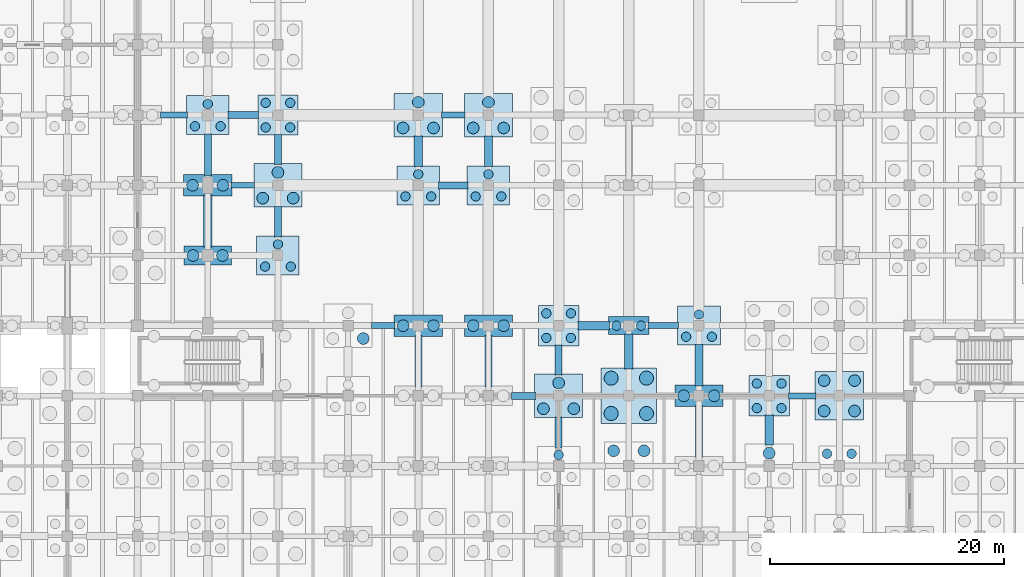
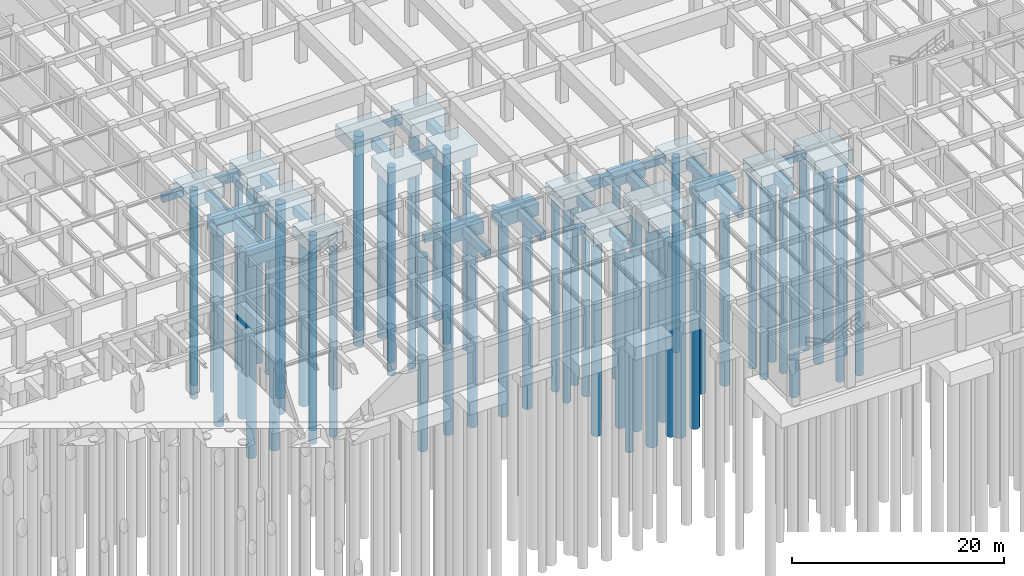
# One storey, part 7 of 54: 66 piles, 44 footings.
"""IFC4 building model written with IfcOpenShell, lengths in metres."""

from ifc_helpers import new_model, si_unit, direction, frame, origin, origin_2d, place, context, subcontext, project, spatial, rectangle, circle, extrude, material, material_profile, profile_set, type_object, element, save


model = new_model("IFC4")

# Units and contexts
model_context = context("Model", 3, precision=1e-05, world=origin(), true_north=direction((0.0, 1.0)))
body_context = subcontext(model_context, "Body", "Model", "MODEL_VIEW")
ifc_project = project(units=[si_unit("LENGTHUNIT", "METRE"), si_unit("AREAUNIT", "SQUARE_METRE"), si_unit("VOLUMEUNIT", "CUBIC_METRE"), si_unit("PLANEANGLEUNIT", "RADIAN"), si_unit("MASSUNIT", "GRAM", prefix="KILO"), si_unit("THERMODYNAMICTEMPERATUREUNIT", "KELVIN"), si_unit("POWERUNIT", "WATT")], contexts=[model_context])

# Site, building, storey
site_placement = place(None, origin())
site = spatial("IfcSite", under=ifc_project, at=site_placement, CompositionType="ELEMENT")
building_placement = place(site_placement, origin())
building = spatial("IfcBuilding", under=site, at=building_placement, Name="Phaisarnlok Congress Hotel", CompositionType="ELEMENT")
storey_placement = place(building_placement, frame((0.0, 0.0, -4.800048828125)))
storey = spatial("IfcBuildingStorey", under=building, at=storey_placement, Name="B01", CompositionType="ELEMENT", Elevation=-4.800048828125)

# Footings
ifc_material_1 = material(Name="Concrete C40/50", Category="concrete")
footing_type_1 = type_object("IfcFootingType", Name="CAP-2P-A", PredefinedType="PILE_CAP", material=ifc_material_1)
footing_1_placement = place(storey_placement, frame((102.0, 42.0, -1.69970703125), z_axis=(0.0, 0.0, 1.0), x_axis=(1.0, 0.0, 0.0)))
element("IfcFooting", 1, at=footing_1_placement, inside=storey, type_object=footing_type_1, Name="Pile cap PC-01 at (102,42)", PredefinedType="PILE_CAP", context=body_context, shape_type="SweptSolid", body=[
    extrude(rectangle(XDim=3.43994140625, YDim=1.5400390625, at=origin_2d()), origin(), (0.0, 0.0, 1.0), 1.199951171875),
])
footing_type_2 = type_object("IfcFootingType", Name="CAP-2P-B", PredefinedType="PILE_CAP", material=ifc_material_1)
footing_2_placement = place(storey_placement, frame((66.0, 48.0, -1.7998046875), z_axis=(0.0, 0.0, 1.0), x_axis=(1.0, 0.0, 0.0)))
element("IfcFooting", 2, at=footing_2_placement, inside=storey, type_object=footing_type_2, Name="Pile cap PC-02 at (66,48)", PredefinedType="PILE_CAP", context=body_context, shape_type="SweptSolid", body=[
    extrude(rectangle(XDim=4.080078125, YDim=1.639892578125, at=origin_2d()), origin(), (0.0, 0.0, 1.0), 1.300048828125),
])
footing_type_3 = type_object("IfcFootingType", Name="CAP-2P-C", PredefinedType="PILE_CAP", material=ifc_material_1)
for number, where, z_axis, x_axis, name in (
    (3, (66.0, 54.0, -1.89990234375), (0.0, 0.0, 1.0), (1.0, 0.0, 0.0), "Pile cap PC-03 at (66,54)"),
    (4, (84.0, 42.0, -1.89990234375), (0.0, 0.0, 1.0), (1.0, 0.0, 0.0), "Pile cap PC-03 at (84,42)"),
    (5, (90.0, 42.0, -1.89990234375), (0.0, 0.0, 1.0), (1.0, 0.0, 0.0), "Pile cap PC-03 at (90,42)"),
    (6, (108.0, 36.0, -1.89990234375), (0.0, 0.0, 1.0), (1.0, 0.0, 0.0), "Pile cap PC-03 at (108,36)"),
):
    element("IfcFooting", number, at=place(storey_placement, frame(where, z_axis=z_axis, x_axis=x_axis)), inside=storey, type_object=footing_type_3, Name=name, PredefinedType="PILE_CAP", context=body_context, shape_type="SweptSolid", body=[
        extrude(rectangle(XDim=4.1201171875, YDim=1.840087890625, at=origin_2d()), origin(), (0.0, 0.0, 1.0), 1.39990234375),
    ])
footing_type_4 = type_object("IfcFootingType", Name="CAP-3P-A", PredefinedType="PILE_CAP", material=ifc_material_1)
for number, where, z_axis, x_axis, name in (
    (7, (66.0, 60.0, -1.85009765625), (0.0, 0.0, 1.0), (1.0, 0.0, 0.0), "Pile cap PC-04 at (66,60)"),
    (8, (72.0, 48.0, -1.85009765625), (0.0, 0.0, 1.0), (1.0, 0.0, 0.0), "Pile cap PC-04 at (72,48)"),
    (9, (84.0, 54.0, -1.85009765625), (0.0, 0.0, 1.0), (1.0, 0.0, 0.0), "Pile cap PC-04 at (84,54)"),
    (10, (90.0, 54.0, -1.85009765625), (0.0, 0.0, 1.0), (1.0, 0.0, 0.0), "Pile cap PC-04 at (90,54)"),
    (11, (108.0, 42.0, -1.85009765625), (0.0, 0.0, 1.0), (1.0, 0.0, 0.0), "Pile cap PC-04 at (108,42)"),
):
    element("IfcFooting", number, at=place(storey_placement, frame(where, z_axis=z_axis, x_axis=x_axis)), inside=storey, type_object=footing_type_4, Name=name, PredefinedType="PILE_CAP", context=body_context, shape_type="SweptSolid", body=[
        extrude(rectangle(XDim=3.639892578125, YDim=3.340087890625, at=origin_2d()), origin(), (0.0, 0.0, 1.0), 1.35009765625),
    ])
footing_type_5 = type_object("IfcFootingType", Name="CAP-3P-B", PredefinedType="PILE_CAP", material=ifc_material_1)
for number, where, z_axis, x_axis, name in (
    (12, (72.0, 54.0, -1.94970703125), (0.0, 0.0, 1.0), (1.0, 0.0, 0.0), "Pile cap PC-05 at (72,54)"),
    (13, (84.0, 60.0, -1.94970703125), (0.0, 0.0, 1.0), (1.0, 0.0, 0.0), "Pile cap PC-05 at (84,60)"),
    (14, (90.0, 60.0, -1.94970703125), (0.0, 0.0, 1.0), (1.0, 0.0, 0.0), "Pile cap PC-05 at (90,60)"),
    (15, (96.0, 36.0, -1.94970703125), (0.0, 0.0, 1.0), (1.0, 0.0, 0.0), "Pile cap PC-05 at (96,36)"),
):
    element("IfcFooting", number, at=place(storey_placement, frame(where, z_axis=z_axis, x_axis=x_axis)), inside=storey, type_object=footing_type_5, Name=name, PredefinedType="PILE_CAP", context=body_context, shape_type="SweptSolid", body=[
        extrude(rectangle(XDim=4.1201171875, YDim=3.739990234375, at=origin_2d()), origin(), (0.0, 0.0, 1.0), 1.449951171875),
    ])
footing_type_6 = type_object("IfcFootingType", Name="CAP-4P-A", PredefinedType="PILE_CAP", material=ifc_material_1)
for number, where, z_axis, x_axis, name in (
    (16, (72.0, 60.0, -1.7998046875), (0.0, 0.0, 1.0), (1.0, 0.0, 0.0), "Pile cap PC-06 at (72,60)"),
    (17, (96.0, 42.0, -1.7998046875), (0.0, 0.0, 1.0), (1.0, 0.0, 0.0), "Pile cap PC-06 at (96,42)"),
    (18, (114.0, 36.0, -1.7998046875), (0.0, 0.0, 1.0), (1.0, 0.0, 0.0), "Pile cap PC-06 at (114,36)"),
):
    element("IfcFooting", number, at=place(storey_placement, frame(where, z_axis=z_axis, x_axis=x_axis)), inside=storey, type_object=footing_type_6, Name=name, PredefinedType="PILE_CAP", context=body_context, shape_type="SweptSolid", body=[
        extrude(rectangle(XDim=3.43994140625, YDim=3.43994140625, at=origin_2d()), origin(), (0.0, 0.0, 1.0), 1.300048828125),
    ])
footing_type_7 = type_object("IfcFootingType", Name="CAP-4P-B", PredefinedType="PILE_CAP", material=ifc_material_1)
footing_3_placement = place(storey_placement, frame((120.0, 36.0, -1.94970703125), z_axis=(0.0, 0.0, 1.0), x_axis=(1.0, 0.0, 0.0)))
element("IfcFooting", 19, at=footing_3_placement, inside=storey, type_object=footing_type_7, Name="Pile cap PC-07 at (120,36)", PredefinedType="PILE_CAP", context=body_context, shape_type="SweptSolid", body=[
    extrude(rectangle(XDim=4.1201171875, YDim=4.1201171875, at=origin_2d()), origin(), (0.0, 0.0, 1.0), 1.449951171875),
])
footing_type_8 = type_object("IfcFootingType", Name="CAP-4P-C", PredefinedType="PILE_CAP", material=ifc_material_1)
footing_4_placement = place(storey_placement, frame((102.0, 36.0, -2.10009765625), z_axis=(0.0, 0.0, 1.0), x_axis=(1.0, 0.0, 0.0)))
element("IfcFooting", 20, at=footing_4_placement, inside=storey, type_object=footing_type_8, Name="Pile cap PC-08 at (102,36)", PredefinedType="PILE_CAP", context=body_context, shape_type="SweptSolid", body=[
    extrude(rectangle(XDim=4.719970703125, YDim=4.760009765625, at=origin_2d()), origin(), (0.0, 0.0, 1.0), 1.60009765625),
])
ifc_material_profile_1 = material_profile(ifc_material_1, rectangle(XDim=0.5, YDim=0.800048828125, at=origin_2d()), Name="FB-500x800")
ifc_profile_set_1 = profile_set([ifc_material_profile_1], Name="Concrete C40/50")
footing_type_9 = type_object("IfcFootingType", Name="FB-500x800", PredefinedType="FOOTING_BEAM", material=ifc_profile_set_1)
footing_5_placement = place(storey_placement, frame((61.965087890625, 60.0, -0.89990234375), z_axis=(1.0, 0.0, 0.0), x_axis=(0.0, 1.0, 0.0)))
element("IfcFooting", 21, at=footing_5_placement, inside=storey, type_object=footing_type_9, Name="Ground tie beam FB-01", PredefinedType="FOOTING_BEAM", context=body_context, shape_type="SweptSolid", body=[
    extrude(rectangle(XDim=0.5, YDim=0.800048828125, at=origin_2d()), origin(), (0.0, 0.0, 1.0), 2.289794921875),
])
for number, where, z_axis, x_axis, name in (
    (22, (67.985107421875, 54.0, -0.89990234375), (1.0, 0.0, 0.0), (0.0, 1.0, 0.0), "Ground tie beam FB-01"),
    (23, (79.985107421875, 42.0, -0.89990234375), (1.0, 0.0, 0.0), (0.0, 1.0, 0.0), "Ground tie beam FB-01"),
    (24, (85.985107421875, 60.0, -0.89990234375), (1.0, 0.0, 0.0), (0.0, 1.0, 0.0), "Ground tie beam FB-01"),
):
    element("IfcFooting", number, at=place(storey_placement, frame(where, z_axis=z_axis, x_axis=x_axis)), inside=storey, type_object=footing_type_9, Name=name, PredefinedType="FOOTING_BEAM", context=body_context, shape_type="SweptSolid", body=[
        extrude(rectangle(XDim=0.5, YDim=0.800048828125, at=origin_2d()), origin(), (0.0, 0.0, 1.0), 2.02978515625),
    ])
footing_6_placement = place(storey_placement, frame((103.64501953125, 42.0, -0.89990234375), z_axis=(1.0, 0.0, 0.0), x_axis=(0.0, 1.0, 0.0)))
element("IfcFooting", 25, at=footing_6_placement, inside=storey, type_object=footing_type_9, Name="Ground tie beam FB-01", PredefinedType="FOOTING_BEAM", context=body_context, shape_type="SweptSolid", body=[
    extrude(rectangle(XDim=0.5, YDim=0.800048828125, at=origin_2d()), origin(), (0.0, 0.0, 1.0), 2.60986328125),
])
footing_7_placement = place(storey_placement, frame((115.64501953125, 36.0, -0.89990234375), z_axis=(1.0, 0.0, 0.0), x_axis=(0.0, 1.0, 0.0)))
element("IfcFooting", 26, at=footing_7_placement, inside=storey, type_object=footing_type_9, Name="Ground tie beam FB-01", PredefinedType="FOOTING_BEAM", context=body_context, shape_type="SweptSolid", body=[
    extrude(rectangle(XDim=0.5, YDim=0.800048828125, at=origin_2d()), origin(), (0.0, 0.0, 1.0), 2.369873046875),
])
ifc_material_profile_2 = material_profile(ifc_material_1, rectangle(XDim=0.60009765625, YDim=1.0, at=origin_2d()), Name="FB-600x1000")
ifc_profile_set_2 = profile_set([ifc_material_profile_2], Name="Concrete C40/50")
footing_type_10 = type_object("IfcFootingType", Name="FB-600x1000", PredefinedType="FOOTING_BEAM", material=ifc_profile_set_2)
footing_8_placement = place(storey_placement, frame((67.7451171875, 60.0, -1.0), z_axis=(1.0, 0.0, 0.0), x_axis=(0.0, 1.0, 0.0)))
element("IfcFooting", 27, at=footing_8_placement, inside=storey, type_object=footing_type_10, Name="Ground tie beam FB-03", PredefinedType="FOOTING_BEAM", context=body_context, shape_type="SweptSolid", body=[
    extrude(rectangle(XDim=0.60009765625, YDim=1.0, at=origin_2d()), origin(), (0.0, 0.0, 1.0), 2.60986328125),
])
footing_9_placement = place(storey_placement, frame((72.0, 55.794921875, -1.0), z_axis=(0.0, 1.0, 0.0), x_axis=(-1.0, 0.0, 0.0)))
element("IfcFooting", 28, at=footing_9_placement, inside=storey, type_object=footing_type_10, Name="Ground tie beam FB-03", PredefinedType="FOOTING_BEAM", context=body_context, shape_type="SweptSolid", body=[
    extrude(rectangle(XDim=0.60009765625, YDim=1.0, at=origin_2d()), origin(), (0.0, 0.0, 1.0), 2.56005859375),
])
footing_10_placement = place(storey_placement, frame((85.7451171875, 54.0, -1.0), z_axis=(1.0, 0.0, 0.0), x_axis=(0.0, 1.0, 0.0)))
element("IfcFooting", 29, at=footing_10_placement, inside=storey, type_object=footing_type_10, Name="Ground tie beam FB-03", PredefinedType="FOOTING_BEAM", context=body_context, shape_type="SweptSolid", body=[
    extrude(rectangle(XDim=0.60009765625, YDim=1.0, at=origin_2d()), origin(), (0.0, 0.0, 1.0), 2.509765625),
])
footing_11_placement = place(storey_placement, frame((90.0, 36.7451171875, -1.0), z_axis=(0.0, 1.0, 0.0), x_axis=(-1.0, 0.0, 0.0)))
element("IfcFooting", 30, at=footing_11_placement, inside=storey, type_object=footing_type_10, Name="Ground tie beam FB-03", PredefinedType="FOOTING_BEAM", context=body_context, shape_type="SweptSolid", body=[
    extrude(rectangle(XDim=0.60009765625, YDim=1.0, at=origin_2d()), origin(), (0.0, 0.0, 1.0), 4.409912109375),
])
footing_12_placement = place(storey_placement, frame((96.0, 37.794921875, -1.0), z_axis=(0.0, 1.0, 0.0), x_axis=(-1.0, 0.0, 0.0)))
element("IfcFooting", 31, at=footing_12_placement, inside=storey, type_object=footing_type_10, Name="Ground tie beam FB-03", PredefinedType="FOOTING_BEAM", context=body_context, shape_type="SweptSolid", body=[
    extrude(rectangle(XDim=0.60009765625, YDim=1.0, at=origin_2d()), origin(), (0.0, 0.0, 1.0), 2.56005859375),
])
footing_13_placement = place(storey_placement, frame((108.0, 30.7451171875, -1.0), z_axis=(0.0, 1.0, 0.0), x_axis=(-1.0, 0.0, 0.0)))
element("IfcFooting", 32, at=footing_13_placement, inside=storey, type_object=footing_type_10, Name="Ground tie beam FB-03", PredefinedType="FOOTING_BEAM", context=body_context, shape_type="SweptSolid", body=[
    extrude(rectangle(XDim=0.60009765625, YDim=1.0, at=origin_2d()), origin(), (0.0, 0.0, 1.0), 4.409912109375),
])
ifc_material_profile_3 = material_profile(ifc_material_1, rectangle(XDim=0.60009765625, YDim=0.89990234375, at=origin_2d()), Name="FB-600x900")
ifc_profile_set_3 = profile_set([ifc_material_profile_3], Name="Concrete C40/50")
footing_type_11 = type_object("IfcFootingType", Name="FB-600x900", PredefinedType="FOOTING_BEAM", material=ifc_profile_set_3)
footing_14_placement = place(storey_placement, frame((66.0, 54.844970703125, -0.949951171875), z_axis=(0.0, 1.0, 0.0), x_axis=(-1.0, 0.0, 0.0)))
element("IfcFooting", 33, at=footing_14_placement, inside=storey, type_object=footing_type_11, Name="Ground tie beam FB-02", PredefinedType="FOOTING_BEAM", context=body_context, shape_type="SweptSolid", body=[
    extrude(rectangle(XDim=0.60009765625, YDim=0.89990234375, at=origin_2d()), origin(), (0.0, 0.0, 1.0), 3.56005859375),
])
footing_15_placement = place(storey_placement, frame((72.0, 49.594970703125, -0.949951171875), z_axis=(0.0, 1.0, 0.0), x_axis=(-1.0, 0.0, 0.0)))
element("IfcFooting", 34, at=footing_15_placement, inside=storey, type_object=footing_type_11, Name="Ground tie beam FB-02", PredefinedType="FOOTING_BEAM", context=body_context, shape_type="SweptSolid", body=[
    extrude(rectangle(XDim=0.60009765625, YDim=0.89990234375, at=origin_2d()), origin(), (0.0, 0.0, 1.0), 2.610107421875),
])
footing_16_placement = place(storey_placement, frame((84.0, 36.7451171875, -0.949951171875), z_axis=(0.0, 1.0, 0.0), x_axis=(-1.0, 0.0, 0.0)))
element("IfcFooting", 35, at=footing_16_placement, inside=storey, type_object=footing_type_11, Name="Ground tie beam FB-02", PredefinedType="FOOTING_BEAM", context=body_context, shape_type="SweptSolid", body=[
    extrude(rectangle(XDim=0.60009765625, YDim=0.89990234375, at=origin_2d()), origin(), (0.0, 0.0, 1.0), 4.409912109375),
])
footing_17_placement = place(storey_placement, frame((91.965087890625, 36.0, -0.949951171875), z_axis=(1.0, 0.0, 0.0), x_axis=(0.0, 1.0, 0.0)))
element("IfcFooting", 36, at=footing_17_placement, inside=storey, type_object=footing_type_11, Name="Ground tie beam FB-02", PredefinedType="FOOTING_BEAM", context=body_context, shape_type="SweptSolid", body=[
    extrude(rectangle(XDim=0.60009765625, YDim=0.89990234375, at=origin_2d()), origin(), (0.0, 0.0, 1.0), 2.0498046875),
])
footing_18_placement = place(storey_placement, frame((96.0, 31.594970703125, -0.949951171875), z_axis=(0.0, 1.0, 0.0), x_axis=(-1.0, 0.0, 0.0)))
element("IfcFooting", 37, at=footing_18_placement, inside=storey, type_object=footing_type_11, Name="Ground tie beam FB-02", PredefinedType="FOOTING_BEAM", context=body_context, shape_type="SweptSolid", body=[
    extrude(rectangle(XDim=0.60009765625, YDim=0.89990234375, at=origin_2d()), origin(), (0.0, 0.0, 1.0), 2.610107421875),
])
ifc_material_profile_4 = material_profile(ifc_material_1, rectangle(XDim=0.699951171875, YDim=1.10009765625, at=origin_2d()), Name="FB-700x1100")
ifc_profile_set_4 = profile_set([ifc_material_profile_4], Name="Concrete C40/50")
footing_type_12 = type_object("IfcFootingType", Name="FB-700x1100", PredefinedType="FOOTING_BEAM", material=ifc_profile_set_4)
footing_19_placement = place(storey_placement, frame((66.0, 48.7451171875, -1.050048828125), z_axis=(0.0, 1.0, 0.0), x_axis=(-1.0, 0.0, 0.0)))
element("IfcFooting", 38, at=footing_19_placement, inside=storey, type_object=footing_type_12, Name="Ground tie beam FB-04", PredefinedType="FOOTING_BEAM", context=body_context, shape_type="SweptSolid", body=[
    extrude(rectangle(XDim=0.699951171875, YDim=1.10009765625, at=origin_2d()), origin(), (0.0, 0.0, 1.0), 4.409912109375),
])
for number, where, z_axis, x_axis, name in (
    (39, (84.0, 55.594970703125, -1.050048828125), (0.0, 1.0, 0.0), (-1.0, 0.0, 0.0), "Ground tie beam FB-04"),
    (40, (90.0, 55.594970703125, -1.050048828125), (0.0, 1.0, 0.0), (-1.0, 0.0, 0.0), "Ground tie beam FB-04"),
):
    element("IfcFooting", number, at=place(storey_placement, frame(where, z_axis=z_axis, x_axis=x_axis)), inside=storey, type_object=footing_type_12, Name=name, PredefinedType="FOOTING_BEAM", context=body_context, shape_type="SweptSolid", body=[
        extrude(rectangle(XDim=0.699951171875, YDim=1.10009765625, at=origin_2d()), origin(), (0.0, 0.0, 1.0), 2.610107421875),
    ])
footing_20_placement = place(storey_placement, frame((97.64501953125, 42.0, -1.050048828125), z_axis=(1.0, 0.0, 0.0), x_axis=(0.0, 1.0, 0.0)))
element("IfcFooting", 41, at=footing_20_placement, inside=storey, type_object=footing_type_12, Name="Ground tie beam FB-04", PredefinedType="FOOTING_BEAM", context=body_context, shape_type="SweptSolid", body=[
    extrude(rectangle(XDim=0.699951171875, YDim=1.10009765625, at=origin_2d()), origin(), (0.0, 0.0, 1.0), 2.7099609375),
])
footing_21_placement = place(storey_placement, frame((102.0, 38.304931640625, -1.050048828125), z_axis=(0.0, 1.0, 0.0), x_axis=(-1.0, 0.0, 0.0)))
element("IfcFooting", 42, at=footing_21_placement, inside=storey, type_object=footing_type_12, Name="Ground tie beam FB-04", PredefinedType="FOOTING_BEAM", context=body_context, shape_type="SweptSolid", body=[
    extrude(rectangle(XDim=0.699951171875, YDim=1.10009765625, at=origin_2d()), origin(), (0.0, 0.0, 1.0), 3.0),
])
footing_22_placement = place(storey_placement, frame((108.0, 36.844970703125, -1.050048828125), z_axis=(0.0, 1.0, 0.0), x_axis=(-1.0, 0.0, 0.0)))
element("IfcFooting", 43, at=footing_22_placement, inside=storey, type_object=footing_type_12, Name="Ground tie beam FB-04", PredefinedType="FOOTING_BEAM", context=body_context, shape_type="SweptSolid", body=[
    extrude(rectangle(XDim=0.699951171875, YDim=1.10009765625, at=origin_2d()), origin(), (0.0, 0.0, 1.0), 3.56005859375),
])
footing_23_placement = place(storey_placement, frame((114.0, 31.794921875, -1.050048828125), z_axis=(0.0, 1.0, 0.0), x_axis=(-1.0, 0.0, 0.0)))
element("IfcFooting", 44, at=footing_23_placement, inside=storey, type_object=footing_type_12, Name="Ground tie beam FB-04", PredefinedType="FOOTING_BEAM", context=body_context, shape_type="SweptSolid", body=[
    extrude(rectangle(XDim=0.699951171875, YDim=1.10009765625, at=origin_2d()), origin(), (0.0, 0.0, 1.0), 2.56005859375),
])

# Piles
ifc_material_2 = material(Name="Concrete C35/45", Category="concrete")
ifc_material_profile_5 = material_profile(ifc_material_2, circle(Radius=0.5, at=origin_2d()), Name="BORED PILE D1000")
ifc_profile_set_5 = profile_set([ifc_material_profile_5], Name="Concrete C35/45")
pile_type_1 = type_object("IfcPileType", Name="PILE-D1000", PredefinedType="BORED", material=ifc_profile_set_5)
for number, where, z_axis, x_axis, name in (
    (45, (64.739990234375, 48.0, -1.699951171875), (0.0, 0.0, -1.0), (1.0, 0.0, 0.0), "Bored pile PL-02 (FTG-B01-066-048-1)"),
    (46, (67.260009765625, 48.0, -1.699951171875), (0.0, 0.0, -1.0), (1.0, 0.0, 0.0), "Bored pile PL-02 (FTG-B01-066-048-2)"),
):
    element("IfcPile", number, at=place(storey_placement, frame(where, z_axis=z_axis, x_axis=x_axis)), inside=storey, type_object=pile_type_1, Name=name, PredefinedType="BORED", context=body_context, shape_type="SweptSolid", body=[
        extrude(circle(Radius=0.5, at=origin_2d()), origin(), (0.0, 0.0, 1.0), 22.5),
    ])
for number, where, z_axis, x_axis, name in (
    (47, (64.699951171875, 54.0, -1.800048828125), (0.0, 0.0, -1.0), (1.0, 0.0, 0.0), "Bored pile PL-02 (FTG-B01-066-054-1)"),
    (48, (67.300048828125, 54.0, -1.800048828125), (0.0, 0.0, -1.0), (1.0, 0.0, 0.0), "Bored pile PL-02 (FTG-B01-066-054-2)"),
):
    element("IfcPile", number, at=place(storey_placement, frame(where, z_axis=z_axis, x_axis=x_axis)), inside=storey, type_object=pile_type_1, Name=name, PredefinedType="BORED", context=body_context, shape_type="SweptSolid", body=[
        extrude(circle(Radius=0.5, at=origin_2d()), origin(), (0.0, 0.0, 1.0), 22.39990234375),
    ])
for number, where, z_axis, x_axis, name in (
    (49, (70.699951171875, 52.89990234375, -1.849853515625), (0.0, 0.0, -1.0), (1.0, 0.0, 0.0), "Bored pile PL-02 (FTG-B01-072-054-1)"),
    (50, (73.300048828125, 52.89990234375, -1.849853515625), (0.0, 0.0, -1.0), (1.0, 0.0, 0.0), "Bored pile PL-02 (FTG-B01-072-054-2)"),
    (51, (72.0, 55.10009765625, -1.849853515625), (0.0, 0.0, -1.0), (1.0, 0.0, 0.0), "Bored pile PL-02 (FTG-B01-072-054-3)"),
    (52, (79.300048828125, 40.89990234375, -1.849853515625), (0.0, 0.0, -1.0), (1.0, 0.0, 0.0), "Bored pile PL-02 (FTG-B01-078-042-2)"),
):
    element("IfcPile", number, at=place(storey_placement, frame(where, z_axis=z_axis, x_axis=x_axis)), inside=storey, type_object=pile_type_1, Name=name, PredefinedType="BORED", context=body_context, shape_type="SweptSolid", body=[
        extrude(circle(Radius=0.5, at=origin_2d()), origin(), (0.0, 0.0, 1.0), 22.35009765625),
    ])
for number, where, z_axis, x_axis, name in (
    (53, (82.699951171875, 42.0, -1.800048828125), (0.0, 0.0, -1.0), (1.0, 0.0, 0.0), "Bored pile PL-02 (FTG-B01-084-042-1)"),
    (54, (85.300048828125, 42.0, -1.800048828125), (0.0, 0.0, -1.0), (1.0, 0.0, 0.0), "Bored pile PL-02 (FTG-B01-084-042-2)"),
):
    element("IfcPile", number, at=place(storey_placement, frame(where, z_axis=z_axis, x_axis=x_axis)), inside=storey, type_object=pile_type_1, Name=name, PredefinedType="BORED", context=body_context, shape_type="SweptSolid", body=[
        extrude(circle(Radius=0.5, at=origin_2d()), origin(), (0.0, 0.0, 1.0), 22.39990234375),
    ])
for number, where, z_axis, x_axis, name in (
    (55, (82.699951171875, 58.89990234375, -1.849853515625), (0.0, 0.0, -1.0), (1.0, 0.0, 0.0), "Bored pile PL-02 (FTG-B01-084-060-1)"),
    (56, (85.300048828125, 58.89990234375, -1.849853515625), (0.0, 0.0, -1.0), (1.0, 0.0, 0.0), "Bored pile PL-02 (FTG-B01-084-060-2)"),
    (57, (84.0, 61.10009765625, -1.849853515625), (0.0, 0.0, -1.0), (1.0, 0.0, 0.0), "Bored pile PL-02 (FTG-B01-084-060-3)"),
):
    element("IfcPile", number, at=place(storey_placement, frame(where, z_axis=z_axis, x_axis=x_axis)), inside=storey, type_object=pile_type_1, Name=name, PredefinedType="BORED", context=body_context, shape_type="SweptSolid", body=[
        extrude(circle(Radius=0.5, at=origin_2d()), origin(), (0.0, 0.0, 1.0), 22.35009765625),
    ])
for number, where, z_axis, x_axis, name in (
    (58, (88.699951171875, 42.0, -1.800048828125), (0.0, 0.0, -1.0), (1.0, 0.0, 0.0), "Bored pile PL-02 (FTG-B01-090-042-1)"),
    (59, (91.300048828125, 42.0, -1.800048828125), (0.0, 0.0, -1.0), (1.0, 0.0, 0.0), "Bored pile PL-02 (FTG-B01-090-042-2)"),
):
    element("IfcPile", number, at=place(storey_placement, frame(where, z_axis=z_axis, x_axis=x_axis)), inside=storey, type_object=pile_type_1, Name=name, PredefinedType="BORED", context=body_context, shape_type="SweptSolid", body=[
        extrude(circle(Radius=0.5, at=origin_2d()), origin(), (0.0, 0.0, 1.0), 22.39990234375),
    ])
for number, where, z_axis, x_axis, name in (
    (60, (88.699951171875, 58.89990234375, -1.849853515625), (0.0, 0.0, -1.0), (1.0, 0.0, 0.0), "Bored pile PL-02 (FTG-B01-090-060-1)"),
    (61, (91.300048828125, 58.89990234375, -1.849853515625), (0.0, 0.0, -1.0), (1.0, 0.0, 0.0), "Bored pile PL-02 (FTG-B01-090-060-2)"),
    (62, (90.0, 61.10009765625, -1.849853515625), (0.0, 0.0, -1.0), (1.0, 0.0, 0.0), "Bored pile PL-02 (FTG-B01-090-060-3)"),
    (63, (94.699951171875, 34.89990234375, -1.849853515625), (0.0, 0.0, -1.0), (1.0, 0.0, 0.0), "Bored pile PL-02 (FTG-B01-096-036-1)"),
    (64, (97.300048828125, 34.89990234375, -1.849853515625), (0.0, 0.0, -1.0), (1.0, 0.0, 0.0), "Bored pile PL-02 (FTG-B01-096-036-2)"),
    (65, (96.0, 37.10009765625, -1.849853515625), (0.0, 0.0, -1.0), (1.0, 0.0, 0.0), "Bored pile PL-02 (FTG-B01-096-036-3)"),
    (66, (100.699951171875, 31.300048828125, -1.849853515625), (0.0, 0.0, -1.0), (1.0, 0.0, 0.0), "Bored pile PL-02 (FTG-B01-102-030-3)"),
    (67, (103.300048828125, 31.300048828125, -1.849853515625), (0.0, 0.0, -1.0), (1.0, 0.0, 0.0), "Bored pile PL-02 (FTG-B01-102-030-4)"),
):
    element("IfcPile", number, at=place(storey_placement, frame(where, z_axis=z_axis, x_axis=x_axis)), inside=storey, type_object=pile_type_1, Name=name, PredefinedType="BORED", context=body_context, shape_type="SweptSolid", body=[
        extrude(circle(Radius=0.5, at=origin_2d()), origin(), (0.0, 0.0, 1.0), 22.35009765625),
    ])
for number, where, z_axis, x_axis, name in (
    (68, (106.699951171875, 36.0, -1.800048828125), (0.0, 0.0, -1.0), (1.0, 0.0, 0.0), "Bored pile PL-02 (FTG-B01-108-036-1)"),
    (69, (109.300048828125, 36.0, -1.800048828125), (0.0, 0.0, -1.0), (1.0, 0.0, 0.0), "Bored pile PL-02 (FTG-B01-108-036-2)"),
):
    element("IfcPile", number, at=place(storey_placement, frame(where, z_axis=z_axis, x_axis=x_axis)), inside=storey, type_object=pile_type_1, Name=name, PredefinedType="BORED", context=body_context, shape_type="SweptSolid", body=[
        extrude(circle(Radius=0.5, at=origin_2d()), origin(), (0.0, 0.0, 1.0), 22.39990234375),
    ])
for number, where, z_axis, x_axis, name in (
    (70, (114.0, 31.10009765625, -1.849853515625), (0.0, 0.0, -1.0), (1.0, 0.0, 0.0), "Bored pile PL-02 (FTG-B01-114-030-3)"),
    (71, (118.699951171875, 34.699951171875, -1.849853515625), (0.0, 0.0, -1.0), (1.0, 0.0, 0.0), "Bored pile PL-02 (FTG-B01-120-036-1)"),
    (72, (121.300048828125, 34.699951171875, -1.849853515625), (0.0, 0.0, -1.0), (1.0, 0.0, 0.0), "Bored pile PL-02 (FTG-B01-120-036-2)"),
    (73, (118.699951171875, 37.300048828125, -1.849853515625), (0.0, 0.0, -1.0), (1.0, 0.0, 0.0), "Bored pile PL-02 (FTG-B01-120-036-3)"),
    (74, (121.300048828125, 37.300048828125, -1.849853515625), (0.0, 0.0, -1.0), (1.0, 0.0, 0.0), "Bored pile PL-02 (FTG-B01-120-036-4)"),
):
    element("IfcPile", number, at=place(storey_placement, frame(where, z_axis=z_axis, x_axis=x_axis)), inside=storey, type_object=pile_type_1, Name=name, PredefinedType="BORED", context=body_context, shape_type="SweptSolid", body=[
        extrude(circle(Radius=0.5, at=origin_2d()), origin(), (0.0, 0.0, 1.0), 22.35009765625),
    ])
ifc_material_profile_6 = material_profile(ifc_material_2, circle(Radius=0.60009765625, at=origin_2d()), Name="BORED PILE D1200")
ifc_profile_set_6 = profile_set([ifc_material_profile_6], Name="Concrete C35/45")
pile_type_2 = type_object("IfcPileType", Name="PILE-D1200", PredefinedType="BORED", material=ifc_profile_set_6)
for number, where, z_axis, x_axis, name in (
    (75, (100.489990234375, 34.489990234375, -2.0), (0.0, 0.0, -1.0), (1.0, 0.0, 0.0), "Bored pile PL-03 (FTG-B01-102-036-1)"),
    (76, (103.510009765625, 34.489990234375, -2.0), (0.0, 0.0, -1.0), (1.0, 0.0, 0.0), "Bored pile PL-03 (FTG-B01-102-036-2)"),
    (77, (100.489990234375, 37.510009765625, -2.0), (0.0, 0.0, -1.0), (1.0, 0.0, 0.0), "Bored pile PL-03 (FTG-B01-102-036-3)"),
    (78, (103.510009765625, 37.510009765625, -2.0), (0.0, 0.0, -1.0), (1.0, 0.0, 0.0), "Bored pile PL-03 (FTG-B01-102-036-4)"),
):
    element("IfcPile", number, at=place(storey_placement, frame(where, z_axis=z_axis, x_axis=x_axis)), inside=storey, type_object=pile_type_2, Name=name, PredefinedType="BORED", context=body_context, shape_type="SweptSolid", body=[
        extrude(circle(Radius=0.60009765625, at=origin_2d()), origin(), (0.0, 0.0, 1.0), 25.199951171875),
    ])
ifc_material_profile_7 = material_profile(ifc_material_2, circle(Radius=0.39990234375, at=origin_2d()), Name="BORED PILE D800")
ifc_profile_set_7 = profile_set([ifc_material_profile_7], Name="Concrete C35/45")
pile_type_3 = type_object("IfcPileType", Name="PILE-D800", PredefinedType="BORED", material=ifc_profile_set_7)
for number, where, z_axis, x_axis, name in (
    (79, (64.89990234375, 59.050048828125, -1.75), (0.0, 0.0, -1.0), (1.0, 0.0, 0.0), "Bored pile PL-01 (FTG-B01-066-060-1)"),
    (80, (67.10009765625, 59.050048828125, -1.75), (0.0, 0.0, -1.0), (1.0, 0.0, 0.0), "Bored pile PL-01 (FTG-B01-066-060-2)"),
    (81, (66.0, 60.949951171875, -1.75), (0.0, 0.0, -1.0), (1.0, 0.0, 0.0), "Bored pile PL-01 (FTG-B01-066-060-3)"),
    (82, (70.89990234375, 47.050048828125, -1.75), (0.0, 0.0, -1.0), (1.0, 0.0, 0.0), "Bored pile PL-01 (FTG-B01-072-048-1)"),
    (83, (73.10009765625, 47.050048828125, -1.75), (0.0, 0.0, -1.0), (1.0, 0.0, 0.0), "Bored pile PL-01 (FTG-B01-072-048-2)"),
    (84, (72.0, 48.949951171875, -1.75), (0.0, 0.0, -1.0), (1.0, 0.0, 0.0), "Bored pile PL-01 (FTG-B01-072-048-3)"),
):
    element("IfcPile", number, at=place(storey_placement, frame(where, z_axis=z_axis, x_axis=x_axis)), inside=storey, type_object=pile_type_3, Name=name, PredefinedType="BORED", context=body_context, shape_type="SweptSolid", body=[
        extrude(circle(Radius=0.39990234375, at=origin_2d()), origin(), (0.0, 0.0, 1.0), 22.449951171875),
    ])
for number, where, z_axis, x_axis, name in (
    (85, (70.949951171875, 58.949951171875, -1.699951171875), (0.0, 0.0, -1.0), (1.0, 0.0, 0.0), "Bored pile PL-01 (FTG-B01-072-060-1)"),
    (86, (73.050048828125, 58.949951171875, -1.699951171875), (0.0, 0.0, -1.0), (1.0, 0.0, 0.0), "Bored pile PL-01 (FTG-B01-072-060-2)"),
    (87, (70.949951171875, 61.050048828125, -1.699951171875), (0.0, 0.0, -1.0), (1.0, 0.0, 0.0), "Bored pile PL-01 (FTG-B01-072-060-3)"),
    (88, (73.050048828125, 61.050048828125, -1.699951171875), (0.0, 0.0, -1.0), (1.0, 0.0, 0.0), "Bored pile PL-01 (FTG-B01-072-060-4)"),
):
    element("IfcPile", number, at=place(storey_placement, frame(where, z_axis=z_axis, x_axis=x_axis)), inside=storey, type_object=pile_type_3, Name=name, PredefinedType="BORED", context=body_context, shape_type="SweptSolid", body=[
        extrude(circle(Radius=0.39990234375, at=origin_2d()), origin(), (0.0, 0.0, 1.0), 22.5),
    ])
for number, where, z_axis, x_axis, name in (
    (89, (82.89990234375, 53.050048828125, -1.75), (0.0, 0.0, -1.0), (1.0, 0.0, 0.0), "Bored pile PL-01 (FTG-B01-084-054-1)"),
    (90, (85.10009765625, 53.050048828125, -1.75), (0.0, 0.0, -1.0), (1.0, 0.0, 0.0), "Bored pile PL-01 (FTG-B01-084-054-2)"),
    (91, (84.0, 54.949951171875, -1.75), (0.0, 0.0, -1.0), (1.0, 0.0, 0.0), "Bored pile PL-01 (FTG-B01-084-054-3)"),
    (92, (88.89990234375, 53.050048828125, -1.75), (0.0, 0.0, -1.0), (1.0, 0.0, 0.0), "Bored pile PL-01 (FTG-B01-090-054-1)"),
    (93, (91.10009765625, 53.050048828125, -1.75), (0.0, 0.0, -1.0), (1.0, 0.0, 0.0), "Bored pile PL-01 (FTG-B01-090-054-2)"),
    (94, (90.0, 54.949951171875, -1.75), (0.0, 0.0, -1.0), (1.0, 0.0, 0.0), "Bored pile PL-01 (FTG-B01-090-054-3)"),
    (95, (96.0, 30.949951171875, -1.75), (0.0, 0.0, -1.0), (1.0, 0.0, 0.0), "Bored pile PL-01 (FTG-B01-096-030-3)"),
):
    element("IfcPile", number, at=place(storey_placement, frame(where, z_axis=z_axis, x_axis=x_axis)), inside=storey, type_object=pile_type_3, Name=name, PredefinedType="BORED", context=body_context, shape_type="SweptSolid", body=[
        extrude(circle(Radius=0.39990234375, at=origin_2d()), origin(), (0.0, 0.0, 1.0), 22.449951171875),
    ])
for number, where, z_axis, x_axis, name in (
    (96, (94.949951171875, 40.949951171875, -1.699951171875), (0.0, 0.0, -1.0), (1.0, 0.0, 0.0), "Bored pile PL-01 (FTG-B01-096-042-1)"),
    (97, (97.050048828125, 40.949951171875, -1.699951171875), (0.0, 0.0, -1.0), (1.0, 0.0, 0.0), "Bored pile PL-01 (FTG-B01-096-042-2)"),
    (98, (94.949951171875, 43.050048828125, -1.699951171875), (0.0, 0.0, -1.0), (1.0, 0.0, 0.0), "Bored pile PL-01 (FTG-B01-096-042-3)"),
    (99, (97.050048828125, 43.050048828125, -1.699951171875), (0.0, 0.0, -1.0), (1.0, 0.0, 0.0), "Bored pile PL-01 (FTG-B01-096-042-4)"),
):
    element("IfcPile", number, at=place(storey_placement, frame(where, z_axis=z_axis, x_axis=x_axis)), inside=storey, type_object=pile_type_3, Name=name, PredefinedType="BORED", context=body_context, shape_type="SweptSolid", body=[
        extrude(circle(Radius=0.39990234375, at=origin_2d()), origin(), (0.0, 0.0, 1.0), 22.5),
    ])
for number, where, z_axis, x_axis, name in (
    (100, (100.949951171875, 42.0, -1.599853515625), (0.0, 0.0, -1.0), (1.0, 0.0, 0.0), "Bored pile PL-01 (FTG-B01-102-042-1)"),
    (101, (103.050048828125, 42.0, -1.599853515625), (0.0, 0.0, -1.0), (1.0, 0.0, 0.0), "Bored pile PL-01 (FTG-B01-102-042-2)"),
):
    element("IfcPile", number, at=place(storey_placement, frame(where, z_axis=z_axis, x_axis=x_axis)), inside=storey, type_object=pile_type_3, Name=name, PredefinedType="BORED", context=body_context, shape_type="SweptSolid", body=[
        extrude(circle(Radius=0.39990234375, at=origin_2d()), origin(), (0.0, 0.0, 1.0), 22.60009765625),
    ])
for number, where, z_axis, x_axis, name in (
    (102, (106.89990234375, 41.050048828125, -1.75), (0.0, 0.0, -1.0), (1.0, 0.0, 0.0), "Bored pile PL-01 (FTG-B01-108-042-1)"),
    (103, (109.10009765625, 41.050048828125, -1.75), (0.0, 0.0, -1.0), (1.0, 0.0, 0.0), "Bored pile PL-01 (FTG-B01-108-042-2)"),
    (104, (108.0, 42.949951171875, -1.75), (0.0, 0.0, -1.0), (1.0, 0.0, 0.0), "Bored pile PL-01 (FTG-B01-108-042-3)"),
):
    element("IfcPile", number, at=place(storey_placement, frame(where, z_axis=z_axis, x_axis=x_axis)), inside=storey, type_object=pile_type_3, Name=name, PredefinedType="BORED", context=body_context, shape_type="SweptSolid", body=[
        extrude(circle(Radius=0.39990234375, at=origin_2d()), origin(), (0.0, 0.0, 1.0), 22.449951171875),
    ])
for number, where, z_axis, x_axis, name in (
    (105, (112.949951171875, 34.949951171875, -1.699951171875), (0.0, 0.0, -1.0), (1.0, 0.0, 0.0), "Bored pile PL-01 (FTG-B01-114-036-1)"),
    (106, (115.050048828125, 34.949951171875, -1.699951171875), (0.0, 0.0, -1.0), (1.0, 0.0, 0.0), "Bored pile PL-01 (FTG-B01-114-036-2)"),
    (107, (112.949951171875, 37.050048828125, -1.699951171875), (0.0, 0.0, -1.0), (1.0, 0.0, 0.0), "Bored pile PL-01 (FTG-B01-114-036-3)"),
    (108, (115.050048828125, 37.050048828125, -1.699951171875), (0.0, 0.0, -1.0), (1.0, 0.0, 0.0), "Bored pile PL-01 (FTG-B01-114-036-4)"),
    (109, (118.949951171875, 31.050048828125, -1.699951171875), (0.0, 0.0, -1.0), (1.0, 0.0, 0.0), "Bored pile PL-01 (FTG-B01-120-030-3)"),
    (110, (121.050048828125, 31.050048828125, -1.699951171875), (0.0, 0.0, -1.0), (1.0, 0.0, 0.0), "Bored pile PL-01 (FTG-B01-120-030-4)"),
):
    element("IfcPile", number, at=place(storey_placement, frame(where, z_axis=z_axis, x_axis=x_axis)), inside=storey, type_object=pile_type_3, Name=name, PredefinedType="BORED", context=body_context, shape_type="SweptSolid", body=[
        extrude(circle(Radius=0.39990234375, at=origin_2d()), origin(), (0.0, 0.0, 1.0), 22.5),
    ])

save(model, "model.ifc")
